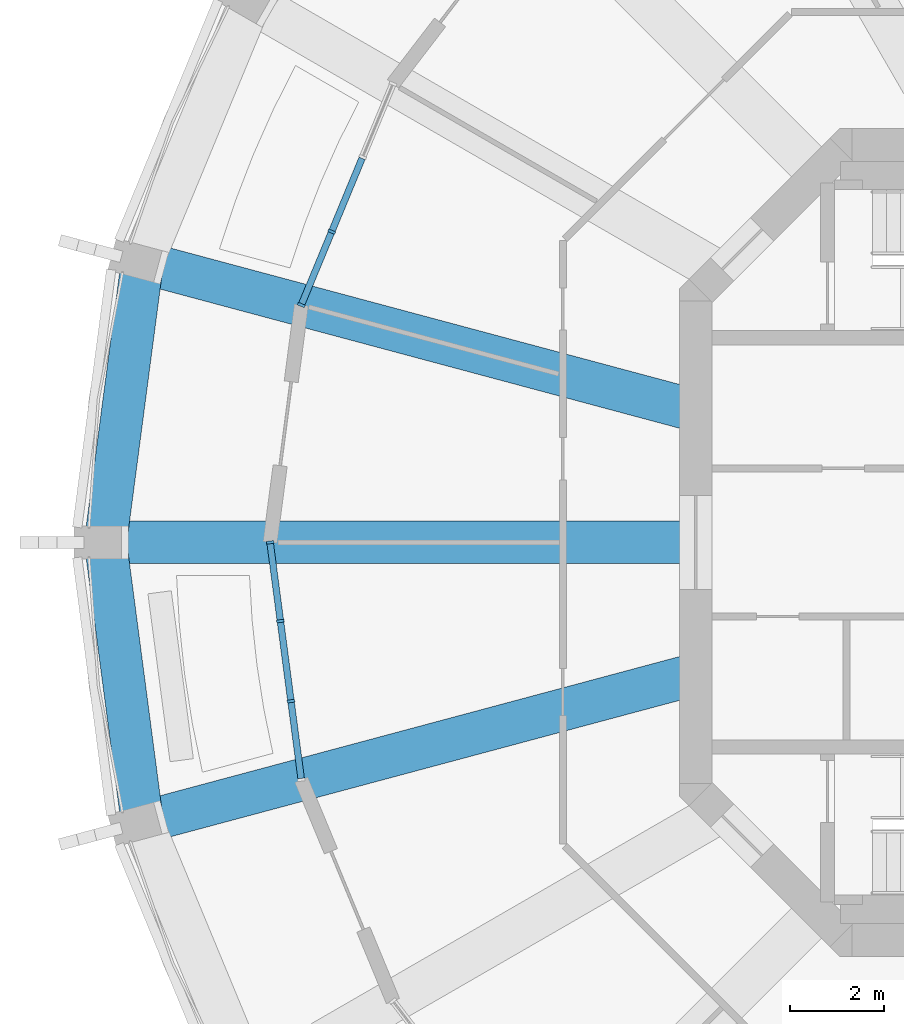
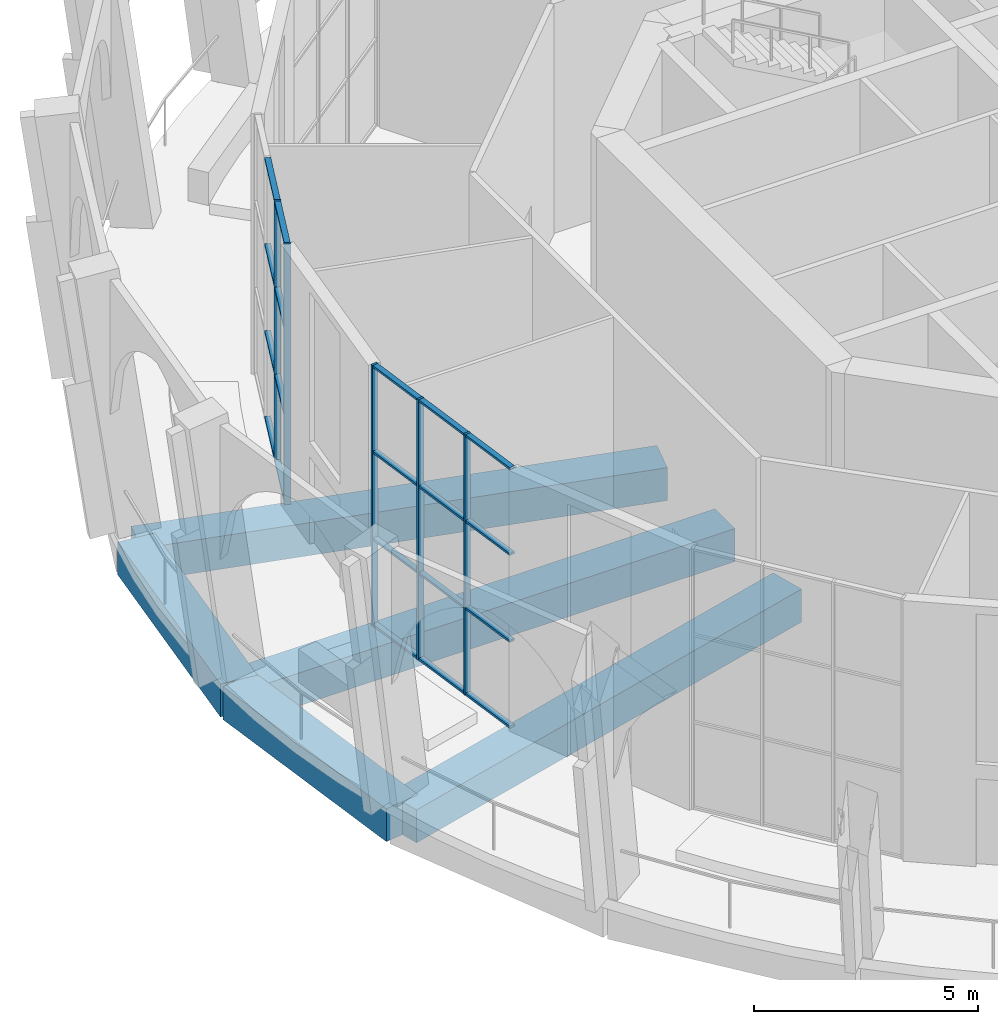
# One storey, part 3 of 16: 25 members, 5 beams, 2 elements without a shape of their own.
"""IFC4 building model written with IfcOpenShell, lengths in metres."""

from ifc_helpers import new_model, si_unit, direction, frame, origin, origin_2d, place, context, subcontext, project, spatial, rectangle, extrude, material, material_profile, profile_set, type_object, element, aggregate, save


model = new_model("IFC4")

# Units and contexts
model_context = context("Model", 3, precision=1e-05, world=origin(), true_north=direction((0.0, 1.0)))
body_context = subcontext(model_context, "Body", "Model", "MODEL_VIEW")
ifc_project = project(units=[si_unit("LENGTHUNIT", "METRE"), si_unit("AREAUNIT", "SQUARE_METRE"), si_unit("VOLUMEUNIT", "CUBIC_METRE"), si_unit("PLANEANGLEUNIT", "RADIAN"), si_unit("MASSUNIT", "GRAM", prefix="KILO")], contexts=[model_context])

# Site, building, storey
site_placement = place(None, origin())
site = spatial("IfcSite", under=ifc_project, at=site_placement, CompositionType="ELEMENT")
building_placement = place(site_placement, origin())
building = spatial("IfcBuilding", under=site, at=building_placement, Name="Torre Triforio", CompositionType="ELEMENT")
storey_placement = place(building_placement, frame((0.0, 0.0, 218.699951171875)))
storey = spatial("IfcBuildingStorey", under=building, at=storey_placement, Name="L50", CompositionType="ELEMENT", Elevation=218.699951171875)

# Curtain wall, members
ifc_material_1 = material(Name="Aluminium mullion and transom frame with clear laminated glass", Category="aluminium")
curtain_wall_type = type_object("IfcCurtainWallType", Name="Sky garden conservatory wall ECW3", PredefinedType="NOTDEFINED", material=ifc_material_1)
curtain_wall_1_placement = place(storey_placement, origin())
curtain_wall_1 = element("IfcCurtainWall", 1, at=curtain_wall_1_placement, inside=storey, type_object=curtain_wall_type, Name="Conservatory wall L50 bay 11", PredefinedType="NOTDEFINED")
ifc_material_2 = material(Name="Anodised aluminium extrusion", Category="aluminium")
ifc_material_profile_1 = material_profile(ifc_material_2, rectangle(XDim=0.159912109375, YDim=0.06005859375, at=origin_2d()), Name="ECW3 MULLION 60x160")
ifc_profile_set_1 = profile_set([ifc_material_profile_1], Name="Anodised aluminium extrusion")
member_type_1 = type_object("IfcMemberType", Name="ECW3 mullion 60 x 160", PredefinedType="MULLION", material=ifc_profile_set_1)
member_1_placement = place(storey_placement, frame((-18.18994140625, 6.60546875, 0.0), z_axis=(0.0, 0.0, 1.0), x_axis=(0.923879107955, -0.382684457334, 0.0)))
member_1 = element("IfcMember", 2, at=member_1_placement, type_object=member_type_1, Name="ECW3 mullion 3", PredefinedType="MULLION", context=body_context, shape_type="SweptSolid", body=[
    extrude(rectangle(XDim=0.159912109375, YDim=0.06005859375, at=origin_2d()), origin(), (0.0, 0.0, 1.0), 7.1201171875),
])
member_2_placement = place(storey_placement, frame((-18.83544921875, 5.047119140625, 0.0), z_axis=(0.0, 0.0, 1.0), x_axis=(0.923879107955, -0.382684457334, 0.0)))
member_2 = element("IfcMember", 3, at=member_2_placement, type_object=member_type_1, Name="ECW3 mullion 4", PredefinedType="MULLION", context=body_context, shape_type="SweptSolid", body=[
    extrude(rectangle(XDim=0.159912109375, YDim=0.06005859375, at=origin_2d()), origin(), (0.0, 0.0, 1.0), 7.1201171875),
])

curtain_wall_2_placement = place(storey_placement, origin())
curtain_wall_2 = element("IfcCurtainWall", 4, at=curtain_wall_2_placement, inside=storey, type_object=curtain_wall_type, Name="Conservatory wall L50 bay 13", PredefinedType="NOTDEFINED")
member_3_placement = place(storey_placement, frame((-19.5, 0.0, 0.0), z_axis=(0.0, 0.0, 1.0), x_axis=(0.991444115465, 0.130531857834, 0.0)))
member_3 = element("IfcMember", 5, at=member_3_placement, type_object=member_type_1, Name="ECW3 mullion 1", PredefinedType="MULLION", context=body_context, shape_type="SweptSolid", body=[
    extrude(rectangle(XDim=0.159912109375, YDim=0.06005859375, at=origin_2d()), origin(), (0.0, 0.0, 1.0), 7.1201171875),
])
member_4_placement = place(storey_placement, frame((-19.27978515625, -1.67236328125, 0.0), z_axis=(0.0, 0.0, 1.0), x_axis=(0.991444115465, 0.130531857834, 0.0)))
member_4 = element("IfcMember", 6, at=member_4_placement, type_object=member_type_1, Name="ECW3 mullion 2", PredefinedType="MULLION", context=body_context, shape_type="SweptSolid", body=[
    extrude(rectangle(XDim=0.159912109375, YDim=0.06005859375, at=origin_2d()), origin(), (0.0, 0.0, 1.0), 7.1201171875),
])
member_5_placement = place(storey_placement, frame((-19.0556640625, -3.37451171875, 0.0), z_axis=(0.0, 0.0, 1.0), x_axis=(0.991444115465, 0.130531857834, 0.0)))
member_5 = element("IfcMember", 7, at=member_5_placement, type_object=member_type_1, Name="ECW3 mullion 3", PredefinedType="MULLION", context=body_context, shape_type="SweptSolid", body=[
    extrude(rectangle(XDim=0.159912109375, YDim=0.06005859375, at=origin_2d()), origin(), (0.0, 0.0, 1.0), 7.1201171875),
])

# Member
ifc_material_profile_2 = material_profile(ifc_material_2, rectangle(XDim=0.139892578125, YDim=0.06005859375, at=origin_2d()), Name="ECW3 TRANSOM 60x140")
ifc_profile_set_2 = profile_set([ifc_material_profile_2], Name="Anodised aluminium extrusion")
member_type_2 = type_object("IfcMemberType", Name="ECW3 transom 60 x 140", PredefinedType="USERDEFINED", material=ifc_profile_set_2)
member_6_placement = place(storey_placement, frame((-17.54443359375, 8.163818359375, 0.030029296875), z_axis=(-0.382668460997, -0.923885733713, 0.0), x_axis=(0.923885733713, -0.382668460997, 0.0)))
member_6 = element("IfcMember", 8, at=member_6_placement, type_object=member_type_2, Name="ECW3 transom 2.1", ObjectType="TRANSOM", PredefinedType="USERDEFINED", context=body_context, shape_type="SweptSolid", body=[
    extrude(rectangle(XDim=0.139892578125, YDim=0.06005859375, at=origin_2d()), origin(), (0.0, 0.0, 1.0), 1.656982421875),
])

member_7_placement = place(storey_placement, frame((-17.54443359375, 8.163818359375, 2.373291015625), z_axis=(-0.382668460997, -0.923885733713, 0.0), x_axis=(0.923885733713, -0.382668460997, 0.0)))
member_7 = element("IfcMember", 9, at=member_7_placement, type_object=member_type_2, Name="ECW3 transom 2.2", ObjectType="TRANSOM", PredefinedType="USERDEFINED", context=body_context, shape_type="SweptSolid", body=[
    extrude(rectangle(XDim=0.139892578125, YDim=0.06005859375, at=origin_2d()), origin(), (0.0, 0.0, 1.0), 1.656982421875),
])

member_8_placement = place(storey_placement, frame((-17.54443359375, 8.163818359375, 4.746826171875), z_axis=(-0.382668460997, -0.923885733713, 0.0), x_axis=(0.923885733713, -0.382668460997, 0.0)))
member_8 = element("IfcMember", 10, at=member_8_placement, type_object=member_type_2, Name="ECW3 transom 2.3", ObjectType="TRANSOM", PredefinedType="USERDEFINED", context=body_context, shape_type="SweptSolid", body=[
    extrude(rectangle(XDim=0.139892578125, YDim=0.06005859375, at=origin_2d()), origin(), (0.0, 0.0, 1.0), 1.656982421875),
])

member_9_placement = place(storey_placement, frame((-17.54443359375, 8.163818359375, 7.090087890625), z_axis=(-0.382668460997, -0.923885733713, 0.0), x_axis=(0.923885733713, -0.382668460997, 0.0)))
member_9 = element("IfcMember", 11, at=member_9_placement, type_object=member_type_2, Name="ECW3 transom 2.4", ObjectType="TRANSOM", PredefinedType="USERDEFINED", context=body_context, shape_type="SweptSolid", body=[
    extrude(rectangle(XDim=0.139892578125, YDim=0.06005859375, at=origin_2d()), origin(), (0.0, 0.0, 1.0), 1.656982421875),
])

member_10_placement = place(storey_placement, frame((-18.201416015625, 6.57763671875, 0.030029296875), z_axis=(-0.382696410016, -0.923874156886, 0.0), x_axis=(0.923874156886, -0.382696410016, 0.0)))
member_10 = element("IfcMember", 12, at=member_10_placement, type_object=member_type_2, Name="ECW3 transom 3.1", ObjectType="TRANSOM", PredefinedType="USERDEFINED", context=body_context, shape_type="SweptSolid", body=[
    extrude(rectangle(XDim=0.139892578125, YDim=0.06005859375, at=origin_2d()), origin(), (0.0, 0.0, 1.0), 1.626708984375),
])

member_11_placement = place(storey_placement, frame((-18.201416015625, 6.57763671875, 2.373291015625), z_axis=(-0.382696410016, -0.923874156886, 0.0), x_axis=(0.923874156886, -0.382696410016, 0.0)))
member_11 = element("IfcMember", 13, at=member_11_placement, type_object=member_type_2, Name="ECW3 transom 3.2", ObjectType="TRANSOM", PredefinedType="USERDEFINED", context=body_context, shape_type="SweptSolid", body=[
    extrude(rectangle(XDim=0.139892578125, YDim=0.06005859375, at=origin_2d()), origin(), (0.0, 0.0, 1.0), 1.626708984375),
])

member_12_placement = place(storey_placement, frame((-18.201416015625, 6.57763671875, 4.746826171875), z_axis=(-0.382696410016, -0.923874156886, 0.0), x_axis=(0.923874156886, -0.382696410016, 0.0)))
member_12 = element("IfcMember", 14, at=member_12_placement, type_object=member_type_2, Name="ECW3 transom 3.3", ObjectType="TRANSOM", PredefinedType="USERDEFINED", context=body_context, shape_type="SweptSolid", body=[
    extrude(rectangle(XDim=0.139892578125, YDim=0.06005859375, at=origin_2d()), origin(), (0.0, 0.0, 1.0), 1.626708984375),
])

member_13_placement = place(storey_placement, frame((-18.201416015625, 6.57763671875, 7.090087890625), z_axis=(-0.382696410016, -0.923874156886, 0.0), x_axis=(0.923874156886, -0.382696410016, 0.0)))
member_13 = element("IfcMember", 15, at=member_13_placement, type_object=member_type_2, Name="ECW3 transom 3.4", ObjectType="TRANSOM", PredefinedType="USERDEFINED", context=body_context, shape_type="SweptSolid", body=[
    extrude(rectangle(XDim=0.139892578125, YDim=0.06005859375, at=origin_2d()), origin(), (0.0, 0.0, 1.0), 1.626708984375),
])

aggregate(curtain_wall_1, [member_1, member_2, member_6, member_7, member_8, member_9, member_10, member_11, member_12, member_13])

member_14_placement = place(storey_placement, frame((-19.49609375, -0.02978515625, 0.030029296875), z_axis=(0.130570980704, -0.991438963829, 0.0), x_axis=(0.991438963829, 0.130570980704, 0.0)))
member_14 = element("IfcMember", 16, at=member_14_placement, type_object=member_type_2, Name="ECW3 transom 1.1", ObjectType="TRANSOM", PredefinedType="USERDEFINED", context=body_context, shape_type="SweptSolid", body=[
    extrude(rectangle(XDim=0.139892578125, YDim=0.06005859375, at=origin_2d()), origin(), (0.0, 0.0, 1.0), 1.626708984375),
])

member_15_placement = place(storey_placement, frame((-19.49609375, -0.02978515625, 2.373291015625), z_axis=(0.130570980704, -0.991438963829, 0.0), x_axis=(0.991438963829, 0.130570980704, 0.0)))
member_15 = element("IfcMember", 17, at=member_15_placement, type_object=member_type_2, Name="ECW3 transom 1.2", ObjectType="TRANSOM", PredefinedType="USERDEFINED", context=body_context, shape_type="SweptSolid", body=[
    extrude(rectangle(XDim=0.139892578125, YDim=0.06005859375, at=origin_2d()), origin(), (0.0, 0.0, 1.0), 1.626708984375),
])

member_16_placement = place(storey_placement, frame((-19.49609375, -0.02978515625, 4.746826171875), z_axis=(0.130570980704, -0.991438963829, 0.0), x_axis=(0.991438963829, 0.130570980704, 0.0)))
member_16 = element("IfcMember", 18, at=member_16_placement, type_object=member_type_2, Name="ECW3 transom 1.3", ObjectType="TRANSOM", PredefinedType="USERDEFINED", context=body_context, shape_type="SweptSolid", body=[
    extrude(rectangle(XDim=0.139892578125, YDim=0.06005859375, at=origin_2d()), origin(), (0.0, 0.0, 1.0), 1.626708984375),
])

member_17_placement = place(storey_placement, frame((-19.49609375, -0.02978515625, 7.090087890625), z_axis=(0.130570980704, -0.991438963829, 0.0), x_axis=(0.991438963829, 0.130570980704, 0.0)))
member_17 = element("IfcMember", 19, at=member_17_placement, type_object=member_type_2, Name="ECW3 transom 1.4", ObjectType="TRANSOM", PredefinedType="USERDEFINED", context=body_context, shape_type="SweptSolid", body=[
    extrude(rectangle(XDim=0.139892578125, YDim=0.06005859375, at=origin_2d()), origin(), (0.0, 0.0, 1.0), 1.626708984375),
])

member_18_placement = place(storey_placement, frame((-19.27587890625, -1.7021484375, 0.030029296875), z_axis=(0.130561245228, -0.991440245927, 0.0), x_axis=(0.991440245927, 0.130561245228, 0.0)))
member_18 = element("IfcMember", 20, at=member_18_placement, type_object=member_type_2, Name="ECW3 transom 2.1", ObjectType="TRANSOM", PredefinedType="USERDEFINED", context=body_context, shape_type="SweptSolid", body=[
    extrude(rectangle(XDim=0.139892578125, YDim=0.06005859375, at=origin_2d()), origin(), (0.0, 0.0, 1.0), 1.65673828125),
])

member_19_placement = place(storey_placement, frame((-19.27587890625, -1.7021484375, 2.373291015625), z_axis=(0.130561245228, -0.991440245927, 0.0), x_axis=(0.991440245927, 0.130561245228, 0.0)))
member_19 = element("IfcMember", 21, at=member_19_placement, type_object=member_type_2, Name="ECW3 transom 2.2", ObjectType="TRANSOM", PredefinedType="USERDEFINED", context=body_context, shape_type="SweptSolid", body=[
    extrude(rectangle(XDim=0.139892578125, YDim=0.06005859375, at=origin_2d()), origin(), (0.0, 0.0, 1.0), 1.65673828125),
])

member_20_placement = place(storey_placement, frame((-19.27587890625, -1.7021484375, 4.746826171875), z_axis=(0.130561245228, -0.991440245927, 0.0), x_axis=(0.991440245927, 0.130561245228, 0.0)))
member_20 = element("IfcMember", 22, at=member_20_placement, type_object=member_type_2, Name="ECW3 transom 2.3", ObjectType="TRANSOM", PredefinedType="USERDEFINED", context=body_context, shape_type="SweptSolid", body=[
    extrude(rectangle(XDim=0.139892578125, YDim=0.06005859375, at=origin_2d()), origin(), (0.0, 0.0, 1.0), 1.65673828125),
])

member_21_placement = place(storey_placement, frame((-19.27587890625, -1.7021484375, 7.090087890625), z_axis=(0.130561245228, -0.991440245927, 0.0), x_axis=(0.991440245927, 0.130561245228, 0.0)))
member_21 = element("IfcMember", 23, at=member_21_placement, type_object=member_type_2, Name="ECW3 transom 2.4", ObjectType="TRANSOM", PredefinedType="USERDEFINED", context=body_context, shape_type="SweptSolid", body=[
    extrude(rectangle(XDim=0.139892578125, YDim=0.06005859375, at=origin_2d()), origin(), (0.0, 0.0, 1.0), 1.65673828125),
])

member_22_placement = place(storey_placement, frame((-19.0517578125, -3.404296875, 0.030029296875), z_axis=(0.130551555034, -0.991441521966, 0.0), x_axis=(0.991441521966, 0.130551555034, 0.0)))
member_22 = element("IfcMember", 24, at=member_22_placement, type_object=member_type_2, Name="ECW3 transom 3.1", ObjectType="TRANSOM", PredefinedType="USERDEFINED", context=body_context, shape_type="SweptSolid", body=[
    extrude(rectangle(XDim=0.139892578125, YDim=0.06005859375, at=origin_2d()), origin(), (0.0, 0.0, 1.0), 1.626953125),
])

member_23_placement = place(storey_placement, frame((-19.0517578125, -3.404296875, 2.373291015625), z_axis=(0.130551555034, -0.991441521966, 0.0), x_axis=(0.991441521966, 0.130551555034, 0.0)))
member_23 = element("IfcMember", 25, at=member_23_placement, type_object=member_type_2, Name="ECW3 transom 3.2", ObjectType="TRANSOM", PredefinedType="USERDEFINED", context=body_context, shape_type="SweptSolid", body=[
    extrude(rectangle(XDim=0.139892578125, YDim=0.06005859375, at=origin_2d()), origin(), (0.0, 0.0, 1.0), 1.626953125),
])

member_24_placement = place(storey_placement, frame((-19.0517578125, -3.404296875, 4.746826171875), z_axis=(0.130551555034, -0.991441521966, 0.0), x_axis=(0.991441521966, 0.130551555034, 0.0)))
member_24 = element("IfcMember", 26, at=member_24_placement, type_object=member_type_2, Name="ECW3 transom 3.3", ObjectType="TRANSOM", PredefinedType="USERDEFINED", context=body_context, shape_type="SweptSolid", body=[
    extrude(rectangle(XDim=0.139892578125, YDim=0.06005859375, at=origin_2d()), origin(), (0.0, 0.0, 1.0), 1.626953125),
])

member_25_placement = place(storey_placement, frame((-19.0517578125, -3.404296875, 7.090087890625), z_axis=(0.130551555034, -0.991441521966, 0.0), x_axis=(0.991441521966, 0.130551555034, 0.0)))
member_25 = element("IfcMember", 27, at=member_25_placement, type_object=member_type_2, Name="ECW3 transom 3.4", ObjectType="TRANSOM", PredefinedType="USERDEFINED", context=body_context, shape_type="SweptSolid", body=[
    extrude(rectangle(XDim=0.139892578125, YDim=0.06005859375, at=origin_2d()), origin(), (0.0, 0.0, 1.0), 1.626953125),
])

aggregate(curtain_wall_2, [member_3, member_4, member_5, member_14, member_15, member_16, member_17, member_18, member_19, member_20, member_21, member_22, member_23, member_24, member_25])

# Beams
ifc_material_3 = material(Name="Concrete C40", Category="concrete")
ifc_material_profile_3 = material_profile(ifc_material_3, rectangle(XDim=0.89990234375, YDim=0.89990234375, at=origin_2d()), Name="RC 900x900")
ifc_profile_set_3 = profile_set([ifc_material_profile_3], Name="Concrete C40")
beam_type_1 = type_object("IfcBeamType", Name="Radial beam RC 900x900 C40", PredefinedType="BEAM", material=ifc_profile_set_3)
beam_1_placement = place(storey_placement, frame((-10.449951171875, 2.800048828125, -0.72998046875), z_axis=(-0.965924880947, 0.258822573141, 0.0), x_axis=(-0.258822573141, -0.965924880947, 0.0)))
element("IfcBeam", 28, at=beam_1_placement, inside=storey, type_object=beam_type_1, Name="BM.R.L50.11", PredefinedType="BEAM", context=body_context, shape_type="SweptSolid", body=[
    extrude(rectangle(XDim=0.89990234375, YDim=0.89990234375, at=origin_2d()), origin(), (0.0, 0.0, 1.0), 12.181396484375),
])
beam_2_placement = place(storey_placement, frame((-10.449951171875, 0.0, -0.72998046875), z_axis=(-1.0, 0.0, 0.0), x_axis=(0.0, -1.0, 0.0)))
element("IfcBeam", 29, at=beam_2_placement, inside=storey, type_object=beam_type_1, Name="BM.R.L50.12", PredefinedType="BEAM", context=body_context, shape_type="SweptSolid", body=[
    extrude(rectangle(XDim=0.89990234375, YDim=0.89990234375, at=origin_2d()), origin(), (0.0, 0.0, 1.0), 12.550048828125),
])
beam_3_placement = place(storey_placement, frame((-10.449951171875, -2.800048828125, -0.72998046875), z_axis=(-0.965924880947, -0.258822573141, 0.0), x_axis=(0.258822573141, -0.965924880947, 0.0)))
element("IfcBeam", 30, at=beam_3_placement, inside=storey, type_object=beam_type_1, Name="BM.R.L50.13", PredefinedType="BEAM", context=body_context, shape_type="SweptSolid", body=[
    extrude(rectangle(XDim=0.89990234375, YDim=0.89990234375, at=origin_2d()), origin(), (0.0, 0.0, 1.0), 12.181396484375),
])
ifc_material_profile_4 = material_profile(ifc_material_3, rectangle(XDim=0.89990234375, YDim=0.89990234375, at=origin_2d()), Name="RC 900x900")
ifc_profile_set_4 = profile_set([ifc_material_profile_4], Name="Concrete C40")
beam_type_2 = type_object("IfcBeamType", Name="Spandrel beam RC 900x900 C40", PredefinedType="SPANDREL", material=ifc_profile_set_4)
for number, where, z_axis, x_axis, name in (
    (31, (-22.21630859375, 5.952880859375, -0.72998046875), (-0.130522880875, -0.991445297315, 0.0), (0.991445297315, -0.130522880875, 0.0), "BM.S.L50.11"),
    (32, (-23.0, 0.0, -0.72998046875), (0.130522880875, -0.991445297315, 0.0), (0.991445297315, 0.130522880875, 0.0), "BM.S.L50.12"),
):
    element("IfcBeam", number, at=place(storey_placement, frame(where, z_axis=z_axis, x_axis=x_axis)), inside=storey, type_object=beam_type_2, Name=name, PredefinedType="SPANDREL", context=body_context, shape_type="SweptSolid", body=[
        extrude(rectangle(XDim=0.89990234375, YDim=0.89990234375, at=origin_2d()), origin(), (0.0, 0.0, 1.0), 6.004150390625),
    ])

save(model, "model.ifc")
